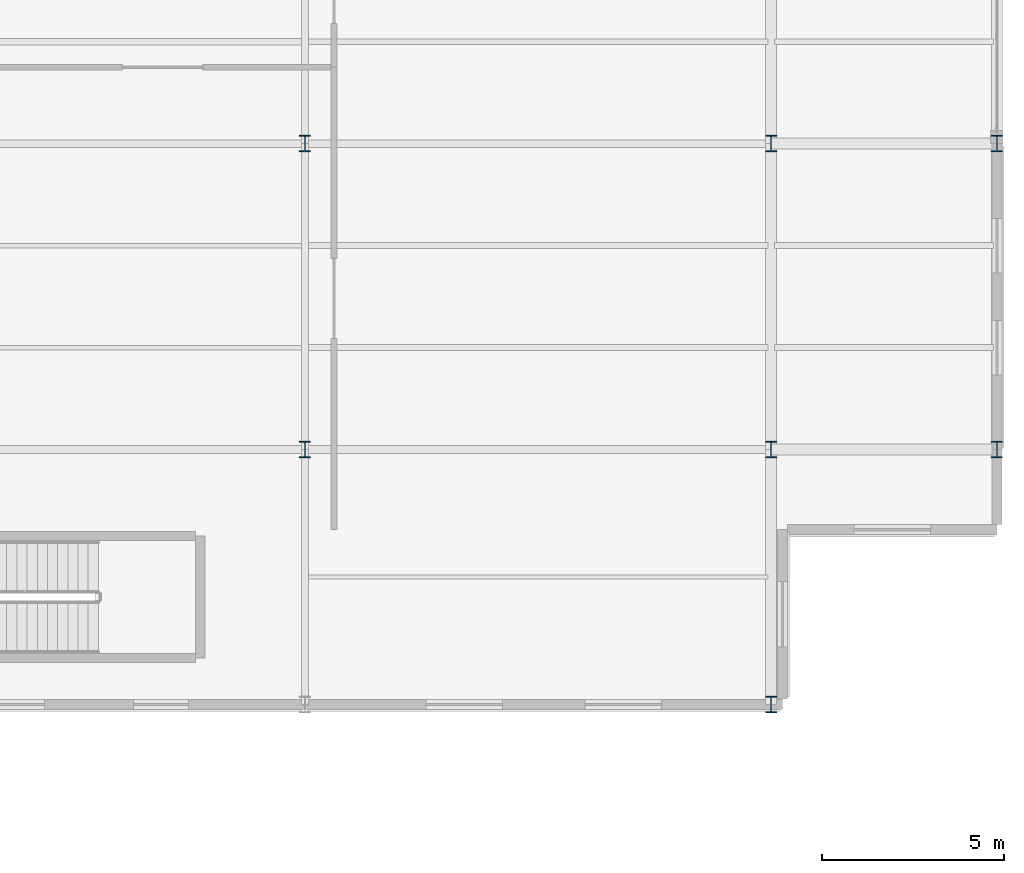
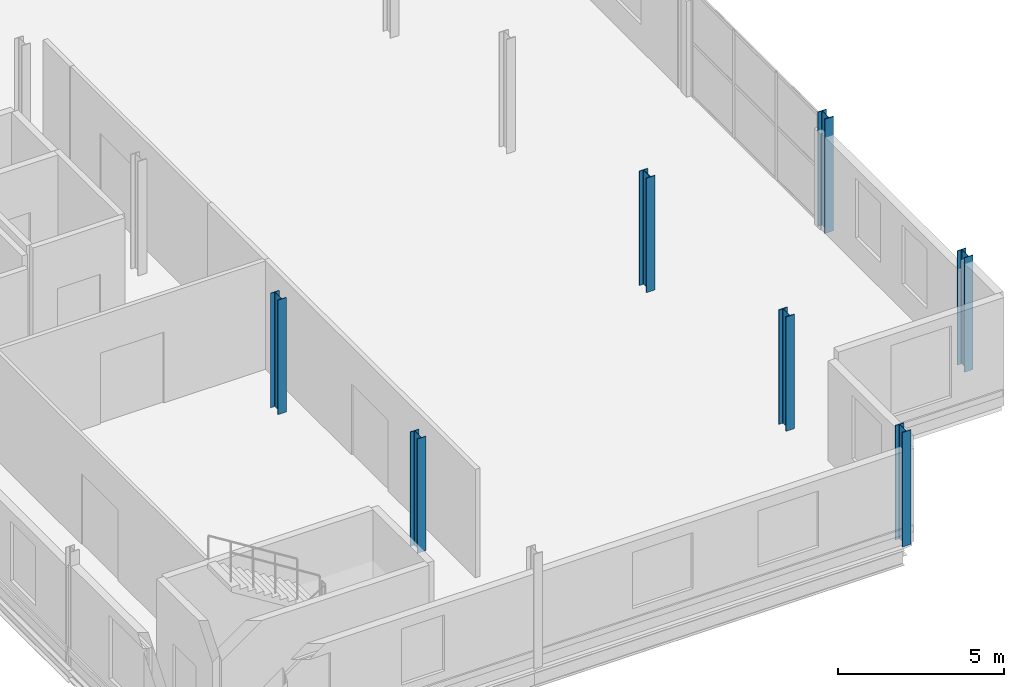
# One storey, part 10 of 93: 7 columns.
"""IFC4 building model written with IfcOpenShell, lengths in metres."""

from ifc_helpers import new_model, si_unit, direction, frame, origin, origin_2d, place, context, subcontext, project, spatial, i_section, extrude, material, material_profile, profile_set, type_object, element, save


model = new_model("IFC4")

# Units and contexts
model_context = context("Model", 3, precision=1e-05, world=origin(), true_north=direction((0.0, 1.0)))
body_context = subcontext(model_context, "Body", "Model", "MODEL_VIEW")
ifc_project = project(units=[si_unit("LENGTHUNIT", "METRE"), si_unit("AREAUNIT", "SQUARE_METRE"), si_unit("VOLUMEUNIT", "CUBIC_METRE"), si_unit("PLANEANGLEUNIT", "RADIAN"), si_unit("MASSUNIT", "GRAM", prefix="KILO")], contexts=[model_context])

# Site, building, storey
site_placement = place(None, origin())
site = spatial("IfcSite", under=ifc_project, at=site_placement, CompositionType="ELEMENT")
building_placement = place(site_placement, origin())
building = spatial("IfcBuilding", under=site, at=building_placement, Name="Vekula Escarpment Museum", CompositionType="ELEMENT")
storey_placement = place(building_placement, frame((0.0, 0.0, 22.199951171875)))
storey = spatial("IfcBuildingStorey", under=building, at=storey_placement, Name="L05", CompositionType="ELEMENT", Elevation=22.199951171875)

# Columns
ifc_material = material(Name="Steel S355", Category="steel")
ifc_material_profile = material_profile(ifc_material, i_section(OverallWidth=0.300048828125, OverallDepth=0.449951171875, WebThickness=0.013916015625, FlangeThickness=0.02587890625, FilletRadius=0.027099609375, at=origin_2d()), Name="HEB 450")
ifc_profile_set = profile_set([ifc_material_profile], Name="Steel S355")
column_type = type_object("IfcColumnType", Name="COL-S-HEB450", PredefinedType="COLUMN", material=ifc_profile_set)
for number, where, z_axis, x_axis, name in (
    (1, (179.0, 59.60009765625, 0.0), (0.0, 0.0, 1.0), (1.0, 0.0, 0.0), "Column L05 (179.0,59.6)"),
    (2, (179.0, 68.0, 0.0), (0.0, 0.0, 1.0), (1.0, 0.0, 0.0), "Column L05 (179.0,68.0)"),
    (3, (191.800048828125, 52.60009765625, 0.0), (0.0, 0.0, 1.0), (1.0, 0.0, 0.0), "Column L05 (191.8,52.6)"),
    (4, (191.800048828125, 59.60009765625, 0.0), (0.0, 0.0, 1.0), (1.0, 0.0, 0.0), "Column L05 (191.8,59.6)"),
    (5, (191.800048828125, 68.0, 0.0), (0.0, 0.0, 1.0), (1.0, 0.0, 0.0), "Column L05 (191.8,68.0)"),
    (6, (198.0, 59.60009765625, 0.0), (0.0, 0.0, 1.0), (1.0, 0.0, 0.0), "Column L05 (198.0,59.6)"),
    (7, (198.0, 68.0, 0.0), (0.0, 0.0, 1.0), (1.0, 0.0, 0.0), "Column L05 (198.0,68.0)"),
):
    element("IfcColumn", number, at=place(storey_placement, frame(where, z_axis=z_axis, x_axis=x_axis)), inside=storey, type_object=column_type, Name=name, PredefinedType="COLUMN", context=body_context, shape_type="SweptSolid", body=[
        extrude(i_section(OverallWidth=0.300048828125, OverallDepth=0.449951171875, WebThickness=0.013916015625, FlangeThickness=0.02587890625, FilletRadius=0.027099609375, at=origin_2d()), origin(), (0.0, 0.0, 1.0), 4.199951171875),
    ])

save(model, "model.ifc")
